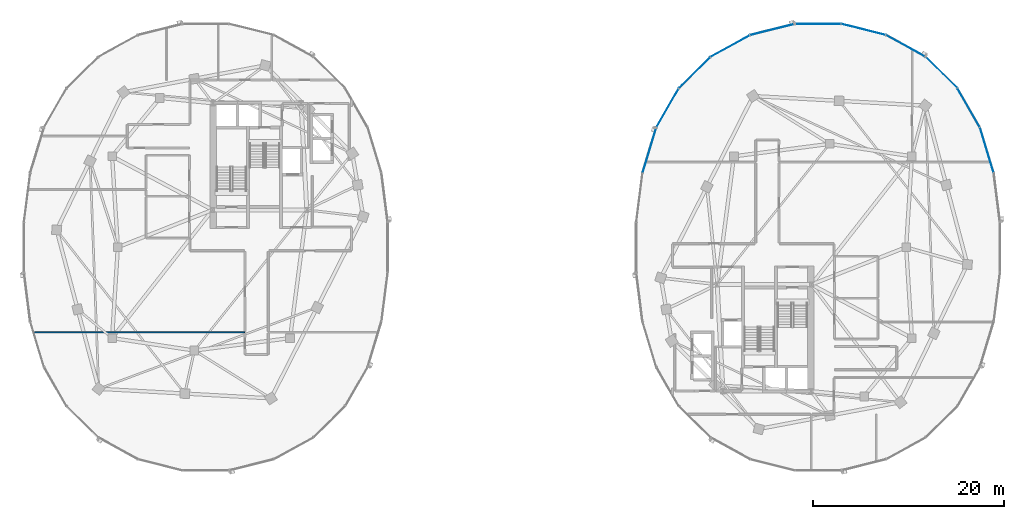
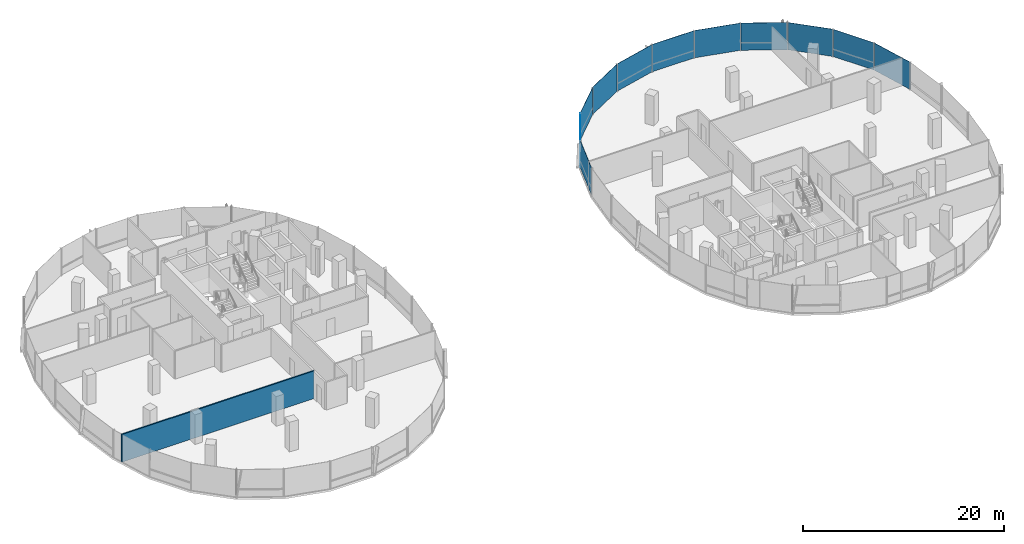
# One storey, part 11 of 22: 11 plates, 1 wall, 2 elements without a shape of their own.
"""IFC4 building model written with IfcOpenShell, lengths in metres."""

from ifc_helpers import new_model, si_unit, direction, frame, frame_2d, origin, origin_2d, place, context, subcontext, project, spatial, rectangle, extrude, material, layer, layer_set, type_object, element, aggregate, save


model = new_model("IFC4")

# Units and contexts
model_context = context("Model", 3, precision=1e-05, world=origin(), true_north=direction((0.0, 1.0)))
body_context = subcontext(model_context, "Body", "Model", "MODEL_VIEW")
ifc_project = project(units=[si_unit("LENGTHUNIT", "METRE"), si_unit("AREAUNIT", "SQUARE_METRE"), si_unit("VOLUMEUNIT", "CUBIC_METRE"), si_unit("PLANEANGLEUNIT", "RADIAN"), si_unit("MASSUNIT", "GRAM", prefix="KILO"), si_unit("THERMODYNAMICTEMPERATUREUNIT", "KELVIN"), si_unit("POWERUNIT", "WATT")], contexts=[model_context])

# Site, building, storey
site_placement = place(None, origin())
site = spatial("IfcSite", under=ifc_project, at=site_placement, CompositionType="ELEMENT")
building_placement = place(site_placement, origin())
building = spatial("IfcBuilding", under=site, at=building_placement, Name="Cundina Bronze Exchange", CompositionType="ELEMENT")
storey_placement = place(building_placement, frame((0.0, 0.0, 165.60009765625)))
storey = spatial("IfcBuildingStorey", under=building, at=storey_placement, Name="L43", CompositionType="ELEMENT", Elevation=165.60009765625)

# Curtain wall, plates
ifc_material_1 = material(Name="Anodised Bronze Aluminium 6063-T6", Category="aluminium")
curtain_wall_type = type_object("IfcCurtainWallType", Name="CWS-WST-PIN", PredefinedType="NOTDEFINED", material=ifc_material_1)
curtain_wall_1_placement = place(storey_placement, origin())
curtain_wall_1 = element("IfcCurtainWall", 1, at=curtain_wall_1_placement, inside=storey, type_object=curtain_wall_type, Name="L43 CW-04 Curtain Wall Run CWR-L43-E1", PredefinedType="NOTDEFINED")
ifc_material_2 = material(Name="Heat-Strengthened Solar-Control Bronze Safety Glass 28mm", Category="glass")
ifc_layer_1 = layer(ifc_material_2, 0.028076171875, Name="Heat-Strengthened Solar-Control Bronze Safety Glass 28mm", Category="glass")
ifc_layer_set_1 = layer_set([ifc_layer_1], Name="Heat-Strengthened Solar-Control Bronze Safety Glass 28mm")
plate_type_1 = type_object("IfcPlateType", Name="PLT-GLZ-VIS28", PredefinedType="CURTAIN_PANEL", material=ifc_layer_set_1)
plate_1_placement = place(storey_placement, frame((47.734375, 14.564697265625, 0.02001953125), z_axis=(0.0, 0.0, 1.0), x_axis=(-0.498487739754, 0.866896748936, 0.0)))
plate_1 = element("IfcPlate", 2, at=plate_1_placement, type_object=plate_type_1, Name="CW-04 Glazed Panel 3", PredefinedType="CURTAIN_PANEL", context=body_context, shape_type="SweptSolid", body=[
    extrude(rectangle(XDim=4.676513671875, YDim=0.028076171875, at=origin_2d()), origin(), (0.0, 0.0, 1.0), 3.320068359375),
])
plate_2_placement = place(storey_placement, frame((44.894775390625, 18.253662109375, 0.02001953125), z_axis=(0.0, 0.0, 1.0), x_axis=(-0.711989280367, 0.702190333629, 0.0)))
plate_2 = element("IfcPlate", 3, at=plate_2_placement, type_object=plate_type_1, Name="CW-04 Glazed Panel 4", PredefinedType="CURTAIN_PANEL", context=body_context, shape_type="SweptSolid", body=[
    extrude(rectangle(XDim=4.6025390625, YDim=0.028076171875, at=origin_2d()), origin(), (0.0, 0.0, 1.0), 3.320068359375),
])
plate_3_placement = place(storey_placement, frame((41.16845703125, 21.02880859375, 0.02001953125), z_axis=(0.0, 0.0, 1.0), x_axis=(-0.875869093438, 0.482548786301, 0.0)))
plate_3 = element("IfcPlate", 4, at=plate_3_placement, type_object=plate_type_1, Name="CW-04 Glazed Panel 5", PredefinedType="CURTAIN_PANEL", context=body_context, shape_type="SweptSolid", body=[
    extrude(rectangle(XDim=4.661865234375, YDim=0.028076171875, at=origin_2d()), origin(), (0.0, 0.0, 1.0), 3.320068359375),
])
plate_4_placement = place(storey_placement, frame((36.76513671875, 22.75244140625, 0.02001953125), z_axis=(0.0, 0.0, 1.0), x_axis=(-0.970092713791, 0.242734683656, 0.0)))
plate_4 = element("IfcPlate", 5, at=plate_4_placement, type_object=plate_type_1, Name="CW-04 Glazed Panel 6", PredefinedType="CURTAIN_PANEL", context=body_context, shape_type="SweptSolid", body=[
    extrude(rectangle(XDim=4.7548828125, YDim=0.028076171875, at=origin_2d()), origin(), (0.0, 0.0, 1.0), 3.320068359375),
])

curtain_wall_2_placement = place(storey_placement, origin())
curtain_wall_2 = element("IfcCurtainWall", 6, at=curtain_wall_2_placement, inside=storey, type_object=curtain_wall_type, Name="L43 CW-04 Curtain Wall Run CWR-L43-E2", PredefinedType="NOTDEFINED")
plate_5_placement = place(storey_placement, frame((22.83154296875, 21.02880859375, 0.02001953125), z_axis=(0.0, 0.0, 1.0), x_axis=(-0.875869093438, -0.482548786301, 0.0)))
plate_5 = element("IfcPlate", 7, at=plate_5_placement, type_object=plate_type_1, Name="CW-04 Glazed Panel 2", PredefinedType="CURTAIN_PANEL", context=body_context, shape_type="SweptSolid", body=[
    extrude(rectangle(XDim=4.661865234375, YDim=0.028076171875, at=origin_2d()), origin(), (0.0, 0.0, 1.0), 3.320068359375),
])
plate_6_placement = place(storey_placement, frame((19.105224609375, 18.253662109375, 0.02001953125), z_axis=(0.0, 0.0, 1.0), x_axis=(-0.711989280367, -0.702190333629, 0.0)))
plate_6 = element("IfcPlate", 8, at=plate_6_placement, type_object=plate_type_1, Name="CW-04 Glazed Panel 3", PredefinedType="CURTAIN_PANEL", context=body_context, shape_type="SweptSolid", body=[
    extrude(rectangle(XDim=4.6025390625, YDim=0.028076171875, at=origin_2d()), origin(), (0.0, 0.0, 1.0), 3.320068359375),
])
plate_7_placement = place(storey_placement, frame((16.265625, 14.564697265625, 0.02001953125), z_axis=(0.0, 0.0, 1.0), x_axis=(-0.498487739754, -0.866896748936, 0.0)))
plate_7 = element("IfcPlate", 9, at=plate_7_placement, type_object=plate_type_1, Name="CW-04 Glazed Panel 4", PredefinedType="CURTAIN_PANEL", context=body_context, shape_type="SweptSolid", body=[
    extrude(rectangle(XDim=4.676513671875, YDim=0.028076171875, at=origin_2d()), origin(), (0.0, 0.0, 1.0), 3.320068359375),
])
plate_8_placement = place(storey_placement, frame((14.36669921875, 10.14208984375, 0.02001953125), z_axis=(0.0, 0.0, 1.0), x_axis=(-0.290050843957, -0.957011237092, 0.0)))
plate_8 = element("IfcPlate", 10, at=plate_8_placement, type_object=plate_type_1, Name="CW-04 Glazed Panel 5", PredefinedType="CURTAIN_PANEL", context=body_context, shape_type="SweptSolid", body=[
    extrude(rectangle(XDim=4.885009765625, YDim=0.028076171875, at=origin_2d()), origin(), (0.0, 0.0, 1.0), 3.320068359375),
])

# Plate
ifc_material_3 = material(Name="Dark Bronze Spandrel Glass Panel 32mm", Category="glass")
ifc_layer_2 = layer(ifc_material_3, 0.031982421875, Name="Dark Bronze Spandrel Glass Panel 32mm", Category="glass")
ifc_layer_set_2 = layer_set([ifc_layer_2], Name="Dark Bronze Spandrel Glass Panel 32mm")
plate_type_2 = type_object("IfcPlateType", Name="PLT-SPN-BRZ32", PredefinedType="CURTAIN_PANEL", material=ifc_layer_set_2)
plate_9_placement = place(storey_placement, frame((49.63330078125, 10.14208984375, 0.02001953125), z_axis=(0.0, 0.0, 1.0), x_axis=(-0.290050843957, 0.957011237092, 0.0)))
plate_9 = element("IfcPlate", 11, at=plate_9_placement, type_object=plate_type_2, Name="CW-04 Glazed Panel 2", PredefinedType="CURTAIN_PANEL", context=body_context, shape_type="SweptSolid", body=[
    extrude(rectangle(XDim=4.885009765625, YDim=0.031982421875, at=origin_2d()), origin(), (0.0, 0.0, 1.0), 3.320068359375),
])

plate_10_placement = place(storey_placement, frame((32.0, 23.3369140625, 0.02001953125), z_axis=(0.0, 0.0, 1.0), x_axis=(-1.0, 0.0, 0.0)))
plate_10 = element("IfcPlate", 12, at=plate_10_placement, type_object=plate_type_2, Name="CW-04 Glazed Panel 7", PredefinedType="CURTAIN_PANEL", context=body_context, shape_type="SweptSolid", body=[
    extrude(rectangle(XDim=4.7958984375, YDim=0.031982421875, at=origin_2d()), origin(), (0.0, 0.0, 1.0), 3.320068359375),
])

aggregate(curtain_wall_1, [plate_9, plate_1, plate_2, plate_3, plate_4, plate_10])

plate_11_placement = place(storey_placement, frame((27.23486328125, 22.75244140625, 0.02001953125), z_axis=(0.0, 0.0, 1.0), x_axis=(-0.970092713791, -0.242734683656, 0.0)))
plate_11 = element("IfcPlate", 13, at=plate_11_placement, type_object=plate_type_2, Name="CW-04 Glazed Panel 1", PredefinedType="CURTAIN_PANEL", context=body_context, shape_type="SweptSolid", body=[
    extrude(rectangle(XDim=4.7548828125, YDim=0.031982421875, at=origin_2d()), origin(), (0.0, 0.0, 1.0), 3.320068359375),
])

aggregate(curtain_wall_2, [plate_11, plate_5, plate_6, plate_7, plate_8])

# Wall
ifc_material_4 = material(Name="Gypsum Acoustic Partition EI60")
ifc_layer_3 = layer(ifc_material_4, 0.14990234375, Name="Gypsum Acoustic Partition EI60")
ifc_layer_set_3 = layer_set([ifc_layer_3], Name="Gypsum Acoustic Partition EI60")
wall_type = type_object("IfcWallType", Name="WL-TEN-150", PredefinedType="PARTITIONING", material=ifc_layer_set_3)
wall_placement = place(storey_placement, frame((-50.081787109375, -8.889892578125, 0.0), z_axis=(0.0, 0.0, 1.0), x_axis=(1.0, 0.0, 0.0)))
element("IfcWall", 14, at=wall_placement, inside=storey, type_object=wall_type, Name="L43 Interior Partition 016", PredefinedType="PARTITIONING", context=body_context, shape_type="SweptSolid", body=[
    extrude(rectangle(XDim=22.1318359375, YDim=0.14990234375, at=frame_2d((11.06591796875, 0.0))), origin(), (0.0, 0.0, 1.0), 3.35986328125),
])

save(model, "model.ifc")
